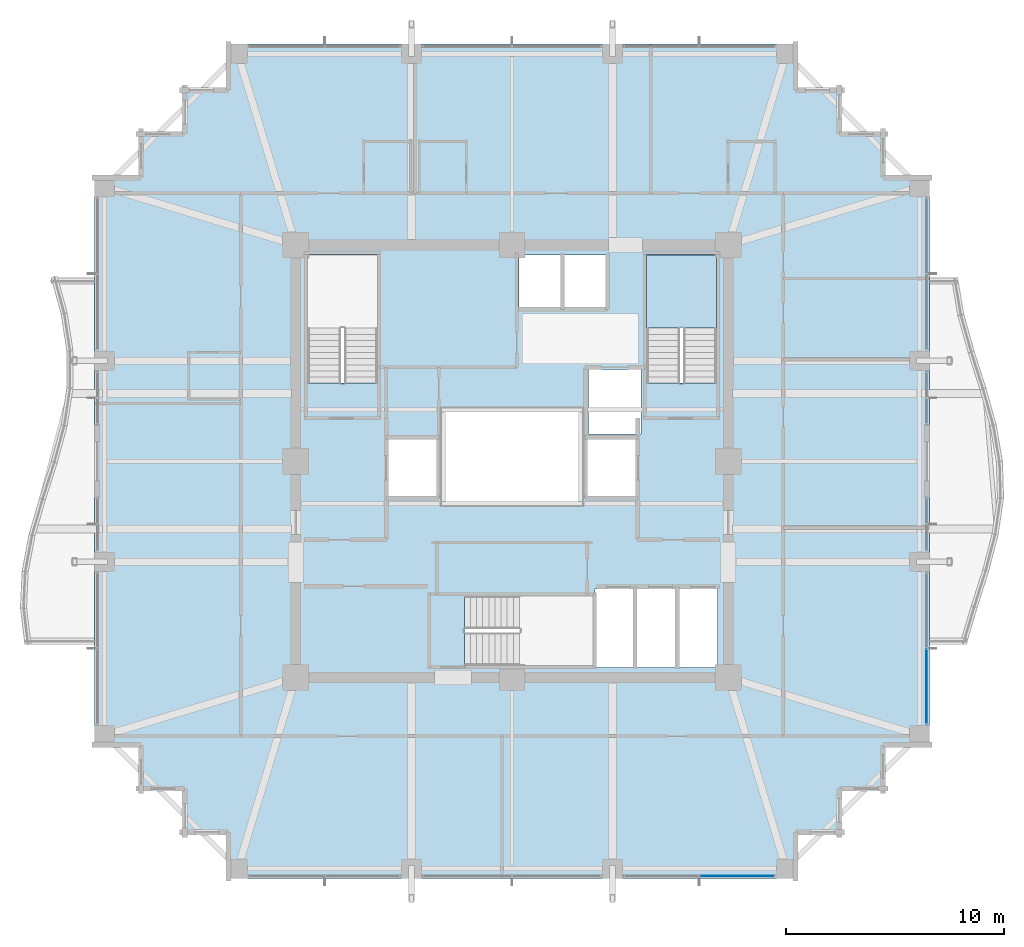
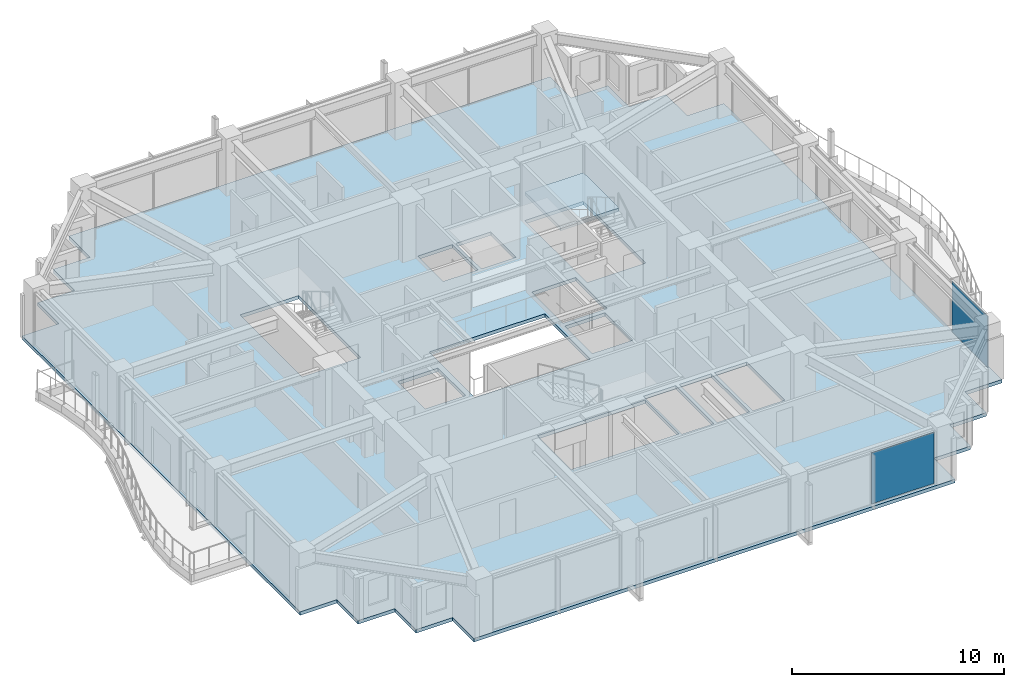
# One storey, part 27 of 35: 2 plates, 2 slabs, 3 elements without a shape of their own.
"""IFC4 building model written with IfcOpenShell, lengths in metres."""

from ifc_helpers import new_model, si_unit, direction, frame, origin, origin_2d, place, context, subcontext, project, spatial, polyline, rectangle, outline, extrude, material, layer, layer_set, type_object, element, aggregate, save


model = new_model("IFC4")

# Units and contexts
model_context = context("Model", 3, precision=1e-05, world=origin(), true_north=direction((0.0, 1.0)))
body_context = subcontext(model_context, "Body", "Model", "MODEL_VIEW")
ifc_project = project(units=[si_unit("LENGTHUNIT", "METRE"), si_unit("AREAUNIT", "SQUARE_METRE"), si_unit("VOLUMEUNIT", "CUBIC_METRE"), si_unit("PLANEANGLEUNIT", "RADIAN"), si_unit("MASSUNIT", "GRAM", prefix="KILO")], contexts=[model_context])

# Site, building, storey
site_placement = place(None, origin())
site = spatial("IfcSite", under=ifc_project, at=site_placement, CompositionType="ELEMENT")
building_placement = place(site_placement, origin())
building = spatial("IfcBuilding", under=site, at=building_placement, Name="Kolvaren Belvedere", CompositionType="ELEMENT")
storey_placement = place(building_placement, frame((0.0, 0.0, 163.5)))
storey = spatial("IfcBuildingStorey", under=building, at=storey_placement, Name="L47", CompositionType="ELEMENT", Elevation=163.5)

# Curtain wall, plate
ifc_material_1 = material(Name="Anodised pale-metal aluminium AA 6063-T6", Category="aluminium")
curtain_wall_type = type_object("IfcCurtainWallType", Name="CW-Z3-WAIST", PredefinedType="NOTDEFINED", material=ifc_material_1)
curtain_wall_1_placement = place(storey_placement, origin())
curtain_wall_1 = element("IfcCurtainWall", 1, at=curtain_wall_1_placement, inside=storey, type_object=curtain_wall_type, Name="L47 Unitised Curtain Wall FCW-L47-S-B1", PredefinedType="NOTDEFINED")
ifc_material_2 = material(Name="Low-iron triple insulated glass", Category="glass")
ifc_layer_1 = layer(ifc_material_2, 0.028076171875)
ifc_layer_set_1 = layer_set([ifc_layer_1], Name="Low-iron triple insulated glass")
plate_type = type_object("IfcPlateType", Name="CW-PNL-VIS28", PredefinedType="CURTAIN_PANEL", material=ifc_layer_set_1)
plate_1_placement = place(storey_placement, frame((10.311279296875, -18.97998046875, 0.080078125), z_axis=(0.0, 0.0, 1.0), x_axis=(-1.0, 0.0, 0.0)))
plate_1 = element("IfcPlate", 2, at=plate_1_placement, type_object=plate_type, Name="FCW-L47-S-B1 Vision Glazing Panel 1", PredefinedType="CURTAIN_PANEL", context=body_context, shape_type="SweptSolid", body=[
    extrude(rectangle(XDim=3.392578125, YDim=0.028076171875, at=origin_2d()), origin(), (0.0, 0.0, 1.0), 2.93994140625),
])
aggregate(curtain_wall_1, [plate_1])

curtain_wall_2_placement = place(storey_placement, origin())
curtain_wall_2 = element("IfcCurtainWall", 3, at=curtain_wall_2_placement, inside=storey, type_object=curtain_wall_type, Name="L47 Unitised Curtain Wall FCW-L47-E2-B2", PredefinedType="NOTDEFINED")
plate_2_placement = place(storey_placement, frame((18.97998046875, -10.311279296875, 0.080078125), z_axis=(0.0, 0.0, 1.0), x_axis=(0.0, -1.0, 0.0)))
plate_2 = element("IfcPlate", 4, at=plate_2_placement, type_object=plate_type, Name="FCW-L47-E2-B2 Vision Glazing Panel 2", PredefinedType="CURTAIN_PANEL", context=body_context, shape_type="SweptSolid", body=[
    extrude(rectangle(XDim=3.392578125, YDim=0.028076171875, at=origin_2d()), origin(), (0.0, 0.0, 1.0), 2.93994140625),
])
aggregate(curtain_wall_2, [plate_2])

# Slab
ifc_material_3 = material(Name="Concrete C50/60", Category="concrete")
ifc_layer_2 = layer(ifc_material_3, 0.199951171875)
ifc_layer_set_2 = layer_set([ifc_layer_2], Name="Concrete C50/60")
slab_type_1 = type_object("IfcSlabType", Name="SL-FLR-200", PredefinedType="FLOOR", material=ifc_layer_set_2)
slab_1_placement = place(storey_placement, frame((0.0, 0.0, -0.199951171875)))
element("IfcSlab", 5, at=slab_1_placement, inside=storey, type_object=slab_type_1, Name="L47 Primary Structural Slab", PredefinedType="FLOOR", context=body_context, shape_type="SweptSolid", body=[
    extrude(outline(polyline([(-13.10009765625, -19.10009765625), (13.10009765625, -19.10009765625), (13.10009765625, -17.10009765625), (15.10009765625, -17.10009765625), (15.10009765625, -15.10009765625), (17.10009765625, -15.10009765625), (17.10009765625, -13.10009765625), (19.10009765625, -13.10009765625), (19.10009765625, 13.10009765625), (17.10009765625, 13.10009765625), (17.10009765625, 15.10009765625), (15.10009765625, 15.10009765625), (15.10009765625, 17.10009765625), (13.10009765625, 17.10009765625), (13.10009765625, 19.10009765625), (-13.10009765625, 19.10009765625), (-13.10009765625, 17.10009765625), (-15.10009765625, 17.10009765625), (-15.10009765625, 15.10009765625), (-17.10009765625, 15.10009765625), (-17.10009765625, 13.10009765625), (-19.10009765625, 13.10009765625), (-19.10009765625, -13.10009765625), (-17.10009765625, -13.10009765625), (-17.10009765625, -15.10009765625), (-15.10009765625, -15.10009765625), (-15.10009765625, -17.10009765625), (-13.10009765625, -17.10009765625), (-13.10009765625, -19.10009765625)]), holes=[polyline([(-9.35009765625, 3.580078125), (-6.159912109375, 3.580078125), (-6.159912109375, 9.449951171875), (-9.35009765625, 9.449951171875), (-9.35009765625, 3.580078125)]), polyline([(6.159912109375, 3.580078125), (9.35009765625, 3.580078125), (9.35009765625, 9.449951171875), (6.159912109375, 9.449951171875), (6.159912109375, 3.580078125)]), polyline([(-2.169921875, -9.35009765625), (3.699951171875, -9.35009765625), (3.699951171875, -6.159912109375), (-2.169921875, -6.159912109375), (-2.169921875, -9.35009765625)]), polyline([(-5.64990234375, -1.60009765625), (-3.449951171875, -1.60009765625), (-3.449951171875, 1.0), (-5.64990234375, 1.0), (-5.64990234375, -1.60009765625)]), polyline([(3.5, 1.25), (5.89990234375, 1.25), (5.89990234375, 4.199951171875), (3.5, 4.199951171875), (3.5, 1.25)]), polyline([(3.449951171875, -1.60009765625), (5.64990234375, -1.60009765625), (5.64990234375, 1.0), (3.449951171875, 1.0), (3.449951171875, -1.60009765625)]), polyline([(3.7900390625, -9.449951171875), (5.5400390625, -9.449951171875), (5.5400390625, -5.85009765625), (3.7900390625, -5.85009765625), (3.7900390625, -9.449951171875)]), polyline([(5.719970703125, -9.449951171875), (7.469970703125, -9.449951171875), (7.469970703125, -5.85009765625), (5.719970703125, -5.85009765625), (5.719970703125, -9.449951171875)]), polyline([(7.64990234375, -9.449951171875), (9.39990234375, -9.449951171875), (9.39990234375, -5.85009765625), (7.64990234375, -5.85009765625), (7.64990234375, -9.449951171875)]), polyline([(0.320068359375, 7.050048828125), (2.219970703125, 7.050048828125), (2.219970703125, 9.449951171875), (0.320068359375, 9.449951171875), (0.320068359375, 7.050048828125)]), polyline([(2.39990234375, 7.050048828125), (4.300048828125, 7.050048828125), (4.300048828125, 9.449951171875), (2.39990234375, 9.449951171875), (2.39990234375, 7.050048828125)]), polyline([(-3.14990234375, -1.949951171875), (3.14990234375, -1.949951171875), (3.14990234375, 2.35009765625), (-3.14990234375, 2.35009765625), (-3.14990234375, -1.949951171875)])]), origin(), (0.0, 0.0, 1.0), 0.199951171875),
])

# Stair, slab
ifc_material_4 = material(Name="Concrete C50/60", Category="concrete")
stair_type = type_object("IfcStairType", Name="ST-CORE-1520", PredefinedType="HALF_TURN_STAIR", material=ifc_material_4)
stair_placement = place(storey_placement, origin())
stair = element("IfcStair", 6, at=stair_placement, inside=storey, type_object=stair_type, Name="L47 Protected Exit Stair ST-2", PredefinedType="HALF_TURN_STAIR")
ifc_material_5 = material(Name="Concrete C50/60", Category="concrete")
ifc_layer_3 = layer(ifc_material_5, 0.260009765625)
ifc_layer_set_3 = layer_set([ifc_layer_3], Name="Concrete C50/60")
slab_type_2 = type_object("IfcSlabType", Name="SL-LAND-260", PredefinedType="LANDING", material=ifc_layer_set_3)
slab_2_placement = place(storey_placement, frame((0.0, 0.0, 1.449951171875)))
slab_2 = element("IfcSlab", 7, at=slab_2_placement, type_object=slab_type_2, Name="ST-2 landing 1", PredefinedType="LANDING", context=body_context, shape_type="SweptSolid", body=[
    extrude(outline(polyline([(9.35009765625, 6.090087890625), (9.35009765625, 9.449951171875), (6.159912109375, 9.449951171875), (6.159912109375, 6.090087890625), (9.35009765625, 6.090087890625)])), origin(), (0.0, 0.0, 1.0), 0.199951171875),
])
aggregate(stair, [slab_2])

save(model, "model.ifc")
